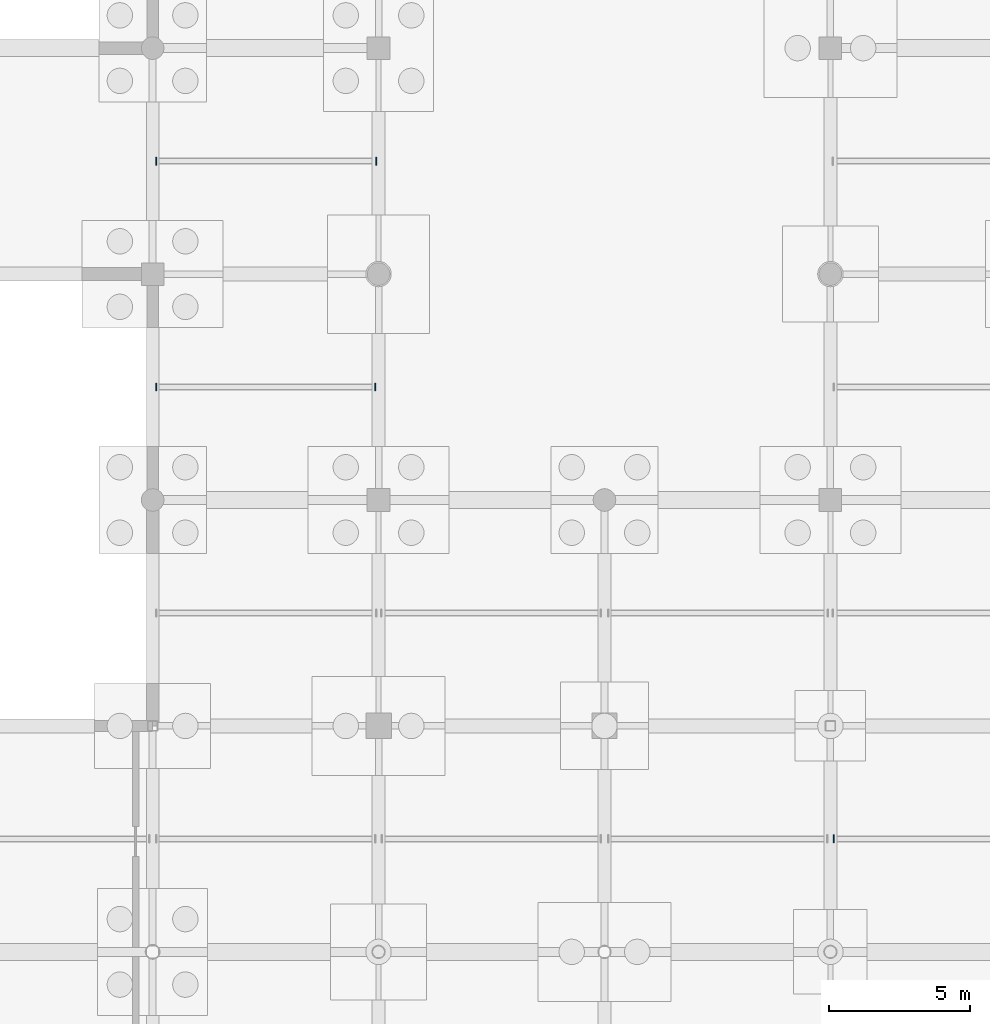
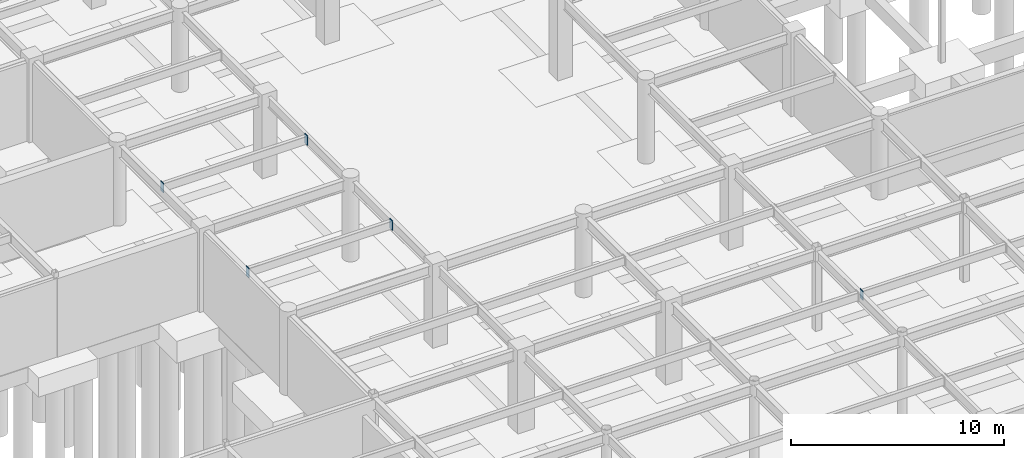
# One storey, part 73 of 105: 5 discrete accessories.
"""IFC4 building model written with IfcOpenShell, lengths in metres."""

from ifc_helpers import new_model, si_unit, direction, frame, origin, origin_2d, place, context, subcontext, project, spatial, rectangle, extrude, material, layer, layer_set, type_object, element, save


model = new_model("IFC4")

# Units and contexts
model_context = context("Model", 3, precision=1e-05, world=origin(), true_north=direction((0.0, 1.0)))
body_context = subcontext(model_context, "Body", "Model", "MODEL_VIEW")
ifc_project = project(units=[si_unit("LENGTHUNIT", "METRE"), si_unit("AREAUNIT", "SQUARE_METRE"), si_unit("VOLUMEUNIT", "CUBIC_METRE"), si_unit("PLANEANGLEUNIT", "RADIAN"), si_unit("MASSUNIT", "GRAM", prefix="KILO")], contexts=[model_context])

# Site, building, storey
site_placement = place(None, origin())
site = spatial("IfcSite", under=ifc_project, at=site_placement, CompositionType="ELEMENT")
building_placement = place(site_placement, origin())
building = spatial("IfcBuilding", under=site, at=building_placement, Name="Solmirada Galleria", CompositionType="ELEMENT")
storey_placement = place(building_placement, frame((0.0, 0.0, -4.800048828125)))
storey = spatial("IfcBuildingStorey", under=building, at=storey_placement, Name="B1", CompositionType="ELEMENT", Elevation=-4.800048828125)

# Discrete accessories
ifc_material = material(Name="Steel S355 / ASTM A572 Grade 50", Category="steel")
ifc_layer = layer(ifc_material, 0.031982421875)
ifc_layer_set = layer_set([ifc_layer], Name="Steel S355 / ASTM A572 Grade 50")
discrete_accessory_type = type_object("IfcDiscreteAccessoryType", Name="ACC-COL-CAP", PredefinedType="BRACKET", material=ifc_layer_set)
for number, where, z_axis, x_axis, name in (
    (1, (80.126953125, 52.0, 4.08154296875), (0.0, 0.0, 1.0), (1.0, 0.0, 0.0), "Hollow joist end plate L00-11-07-L"),
    (2, (87.885986328125, 52.0, 4.08154296875), (0.0, 0.0, 1.0), (1.0, 0.0, 0.0), "Hollow joist end plate L00-11-07-R"),
    (3, (80.126953125, 60.0, 4.08154296875), (0.0, 0.0, 1.0), (1.0, 0.0, 0.0), "Hollow joist end plate L00-11-08-L"),
    (4, (87.910888671875, 60.0, 4.08154296875), (0.0, 0.0, 1.0), (1.0, 0.0, 0.0), "Hollow joist end plate L00-11-08-R"),
    (5, (104.114013671875, 36.0, 4.08154296875), (0.0, 0.0, 1.0), (1.0, 0.0, 0.0), "Hollow joist end plate L00-14-05-L"),
):
    element("IfcDiscreteAccessory", number, at=place(storey_placement, frame(where, z_axis=z_axis, x_axis=x_axis)), inside=storey, type_object=discrete_accessory_type, Name=name, PredefinedType="BRACKET", context=body_context, shape_type="SweptSolid", body=[
        extrude(rectangle(XDim=0.035888671875, YDim=0.280029296875, at=origin_2d()), origin(), (0.0, 0.0, 1.0), 0.5400390625),
    ])

save(model, "model.ifc")
